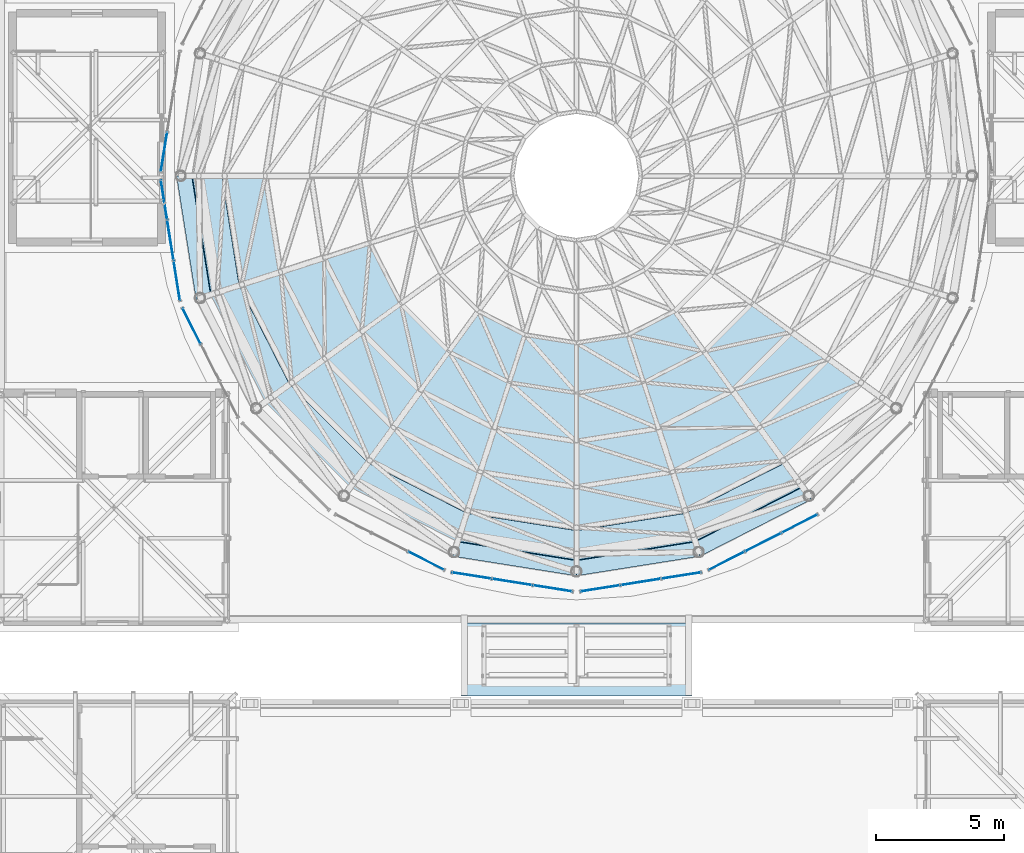
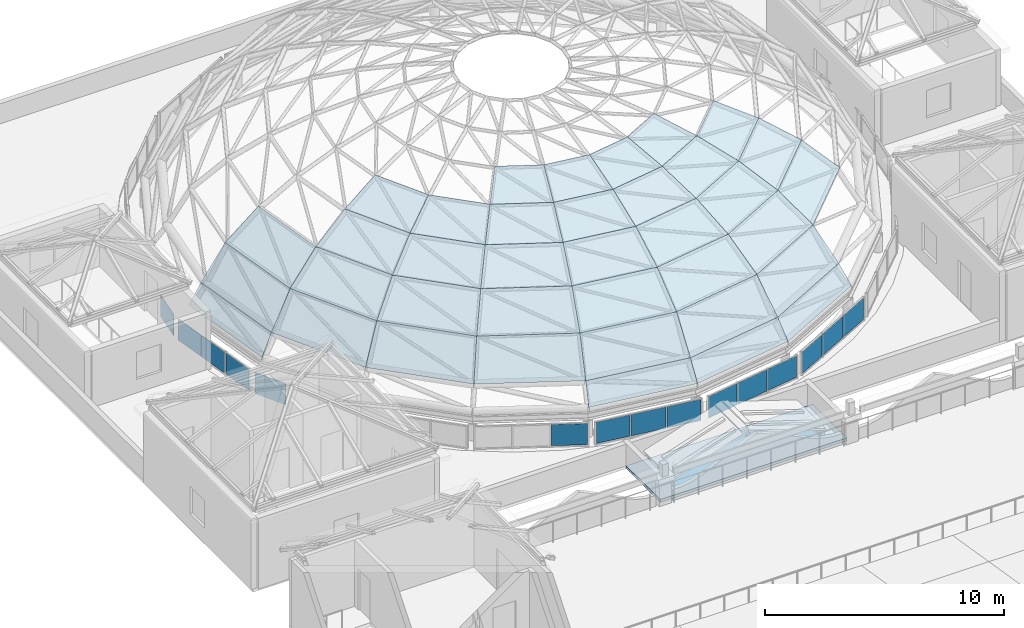
# One storey, part 42 of 69: 52 plates, 1 slab, 7 elements without a shape of their own.
"""IFC4 building model written with IfcOpenShell, lengths in metres."""

from ifc_helpers import new_model, si_unit, direction, frame, origin, origin_2d, place, context, subcontext, project, spatial, polyline, rectangle, outline, extrude, material, layer, layer_set, type_object, element, aggregate, save


model = new_model("IFC4")

# Units and contexts
model_context = context("Model", 3, precision=1e-05, world=origin(), true_north=direction((0.0, 1.0)))
body_context = subcontext(model_context, "Body", "Model", "MODEL_VIEW")
ifc_project = project(units=[si_unit("LENGTHUNIT", "METRE"), si_unit("AREAUNIT", "SQUARE_METRE"), si_unit("VOLUMEUNIT", "CUBIC_METRE"), si_unit("PLANEANGLEUNIT", "RADIAN"), si_unit("MASSUNIT", "GRAM", prefix="KILO")], contexts=[model_context])

# Site, building, storey
site_placement = place(None, origin())
site = spatial("IfcSite", under=ifc_project, at=site_placement, CompositionType="ELEMENT")
building_placement = place(site_placement, origin())
building = spatial("IfcBuilding", under=site, at=building_placement, Name="Kallimachos Central Library", CompositionType="ELEMENT")
storey_placement = place(building_placement, frame((0.0, 0.0, 23.39990234375)))
storey = spatial("IfcBuildingStorey", under=building, at=storey_placement, Name="L05", CompositionType="ELEMENT", Elevation=23.39990234375)

# Plates
ifc_material_1 = material(Name="Laminated glass", Category="glass")
ifc_layer_1 = layer(ifc_material_1, 0.030029296875)
ifc_layer_set_1 = layer_set([ifc_layer_1], Name="Dome glass panel 30")
plate_type_1 = type_object("IfcPlateType", Name="Dome glass panel 30", PredefinedType="SHEET", material=ifc_layer_set_1)
plate_1_placement = place(storey_placement, frame((84.159423828125, 99.114013671875, 7.7060546875), z_axis=(-0.129959379925, -0.255086727075, 0.958144728754), x_axis=(-0.563706877465, -0.775964307167, -0.283044078372)))
element("IfcPlate", 1, at=plate_1_placement, inside=storey, type_object=plate_type_1, Name="Dome glass panel", PredefinedType="SHEET", context=body_context, shape_type="SweptSolid", body=[
    extrude(outline(polyline([(0.0, 0.0), (2.041628892354339, 2.0816681711721685e-17), (1.6430844083452523, 2.626653167731959), (-0.30673258819064386, 2.0211487958049257), (0.0, 0.0)])), origin(), (0.0, 0.0, -1.0), 0.030029296875),
])
plate_2_placement = place(storey_placement, frame((85.98095703125, 98.18603515625, 7.7060546875), z_axis=(-0.044794048364, -0.282754067654, 0.958145933799), x_axis=(-0.296436073335, -0.912148463387, -0.283038575405)))
element("IfcPlate", 2, at=plate_2_placement, inside=storey, type_object=plate_type_1, Name="Dome glass panel", PredefinedType="SHEET", context=body_context, shape_type="SweptSolid", body=[
    extrude(outline(polyline([(0.0, 0.0), (2.0416713409408356, 5.204170427930421e-17), (1.6429890852942148, 2.626918100695097), (-0.3067899998638873, 2.0210645552408626), (0.0, 0.0)])), origin(), (0.0, 0.0, -1.0), 0.030029296875),
])
plate_3_placement = place(storey_placement, frame((88.0, 97.8662109375, 7.7060546875), z_axis=(0.044794048364, -0.282754067654, 0.958145933799), x_axis=(-2.08633e-07, -0.959108648607, -0.283038160267)))
element("IfcPlate", 3, at=plate_3_placement, inside=storey, type_object=plate_type_1, Name="Dome glass panel", PredefinedType="SHEET", context=body_context, shape_type="SweptSolid", body=[
    extrude(outline(polyline([(0.0, 0.0), (2.0417387196846306, 0.0), (1.6429681456680139, 2.626904695268839), (-0.30674659547576, 2.0210711433869566), (0.0, 0.0)])), origin(), (0.0, 0.0, -1.0), 0.030029296875),
])
plate_4_placement = place(storey_placement, frame((90.01904296875, 98.18603515625, 7.7060546875), z_axis=(0.129959379925, -0.255086727075, 0.958144728754), x_axis=(0.296435207586, -0.912145856602, -0.283047882854)))
element("IfcPlate", 4, at=plate_4_placement, inside=storey, type_object=plate_type_1, Name="Dome glass panel", PredefinedType="SHEET", context=body_context, shape_type="SweptSolid", body=[
    extrude(outline(polyline([(0.0, 0.0), (2.041671340936884, 3.122502256758253e-17), (1.6432912728560392, 2.6266781094466656), (-0.30648518484970133, 2.021186326618473), (0.0, 0.0)])), origin(), (0.0, 0.0, -1.0), 0.030029296875),
])
plate_5_placement = place(storey_placement, frame((79.923583984375, 101.77587890625, 7.128173828125), z_axis=(-0.326814272817, -0.166520879886, 0.93030276128), x_axis=(-0.886200817648, -0.288039401314, -0.362879338199)))
element("IfcPlate", 5, at=plate_5_placement, inside=storey, type_object=plate_type_1, Name="Dome glass panel", PredefinedType="SHEET", context=body_context, shape_type="SweptSolid", body=[
    extrude(outline(polyline([(0.0, 0.0), (2.0452507650659113, 1.1102230246251565e-16), (1.5713677148813447, 3.2182810085306977), (-0.3871094153953598, 2.6286946829560933), (0.0, 0.0)])), origin(), (0.0, 0.0, -1.0), 0.030029296875),
])
plate_6_placement = place(storey_placement, frame((81.1298828125, 99.408447265625, 7.128173828125), z_axis=(-0.259364880676, -0.259364880676, 0.930300874634), x_axis=(-0.75392047551, -0.547654708936, -0.362874959713)))
element("IfcPlate", 6, at=plate_6_placement, inside=storey, type_object=plate_type_1, Name="Dome glass panel", PredefinedType="SHEET", context=body_context, shape_type="SweptSolid", body=[
    extrude(outline(polyline([(0.0, 0.0), (2.045298194689517, 1.0408340855860843e-16), (1.5708265021455734, 3.218318209428002), (-0.38750368012371506, 2.6284184484768067), (0.0, 0.0)])), origin(), (0.0, 0.0, -1.0), 0.030029296875),
])
plate_7_placement = place(storey_placement, frame((83.008544921875, 97.52978515625, 7.128173828125), z_axis=(-0.166520879886, -0.326814272817, 0.93030276128), x_axis=(-0.547790019045, -0.753824493575, -0.362870125419)))
element("IfcPlate", 7, at=plate_7_placement, inside=storey, type_object=plate_type_1, Name="Dome glass panel", PredefinedType="SHEET", context=body_context, shape_type="SweptSolid", body=[
    extrude(outline(polyline([(0.0, 0.0), (2.045247865135542, 4.163336342344337e-17), (1.5708160511730593, 3.2185320748863604), (-0.38756812167920374, 2.6282951735943545), (0.0, 0.0)])), origin(), (0.0, 0.0, -1.0), 0.030029296875),
])
plate_8_placement = place(storey_placement, frame((85.375732421875, 96.32373046875, 7.128173828125), z_axis=(-0.057379461971, -0.36227698329, 0.930302630719), x_axis=(-0.287897476375, -0.886247441234, -0.362878100748)))
element("IfcPlate", 8, at=plate_8_placement, inside=storey, type_object=plate_type_1, Name="Dome glass panel", PredefinedType="SHEET", context=body_context, shape_type="SweptSolid", body=[
    extrude(outline(polyline([(0.0, 0.0), (2.0453968238416653, -1.5959455978986625e-16), (1.571256438334218, 3.2184300870081666), (-0.38704359890927253, 2.628658117614707), (0.0, 0.0)])), origin(), (0.0, 0.0, -1.0), 0.030029296875),
])
plate_9_placement = place(storey_placement, frame((88.0, 95.907958984375, 7.128173828125), z_axis=(0.057379461971, -0.36227698329, 0.930302630719), x_axis=(1.273105e-06, -0.931837861648, -0.362874909021)))
element("IfcPlate", 9, at=plate_9_placement, inside=storey, type_object=plate_type_1, Name="Dome glass panel", PredefinedType="SHEET", context=body_context, shape_type="SweptSolid", body=[
    extrude(outline(polyline([(0.0, 0.0), (2.0451821463503186, -6.938893903907228e-18), (1.571077324976621, 3.2184353261295713), (-0.38742826996746316, 2.628601449894669), (0.0, 0.0)])), origin(), (0.0, 0.0, -1.0), 0.030029296875),
])
plate_10_placement = place(storey_placement, frame((90.624267578125, 96.32373046875, 7.128173828125), z_axis=(0.166520879886, -0.326814272817, 0.93030276128), x_axis=(0.28789628579, -0.886250643372, -0.362871224749)))
element("IfcPlate", 10, at=plate_10_placement, inside=storey, type_object=plate_type_1, Name="Dome glass panel", PredefinedType="SHEET", context=body_context, shape_type="SweptSolid", body=[
    extrude(outline(polyline([(0.0, 0.0), (2.0453968241211857, 1.1102230246251565e-16), (1.5708792969684038, 3.2185194390584067), (-0.38736225372054733, 2.6283255226234563), (0.0, 0.0)])), origin(), (0.0, 0.0, -1.0), 0.030029296875),
])
plate_11_placement = place(storey_placement, frame((92.991455078125, 97.52978515625, 7.128173828125), z_axis=(0.259364880676, -0.259364880676, 0.930300874634), x_axis=(0.547787555289, -0.753819658237, -0.362883889318)))
element("IfcPlate", 11, at=plate_11_placement, inside=storey, type_object=plate_type_1, Name="Dome glass panel", PredefinedType="SHEET", context=body_context, shape_type="SweptSolid", body=[
    extrude(outline(polyline([(0.0, 0.0), (2.0452478653593897, -5.551115123125783e-17), (1.5713136676112203, 3.2183974055989686), (-0.38706470512334556, 2.6284831284317622), (0.0, 0.0)])), origin(), (0.0, 0.0, -1.0), 0.030029296875),
])
plate_12_placement = place(storey_placement, frame((78.111083984375, 101.186767578125, 6.385986328125), z_axis=(-0.434605743219, -0.221439165851, 0.872973392372), x_axis=(-0.832692421683, -0.270503096485, -0.483168092555)))
element("IfcPlate", 12, at=plate_12_placement, inside=storey, type_object=plate_type_1, Name="Dome glass panel", PredefinedType="SHEET", context=body_context, shape_type="SweptSolid", body=[
    extrude(outline(polyline([(0.0, 0.0), (2.0514806808109665, -6.938893903907228e-17), (1.528798691784397, 3.7789884452437246), (-0.4456893792201342, 3.222306436770033), (0.0, 0.0)])), origin(), (0.0, 0.0, -1.0), 0.030029296875),
])
plate_13_placement = place(storey_placement, frame((79.587890625, 98.288330078125, 6.385986328125), z_axis=(-0.344906838726, -0.344906838726, 0.872971102156), x_axis=(-0.708336158693, -0.514590986254, -0.483172850183)))
element("IfcPlate", 13, at=plate_13_placement, inside=storey, type_object=plate_type_1, Name="Dome glass panel", PredefinedType="SHEET", context=body_context, shape_type="SweptSolid", body=[
    extrude(outline(polyline([(0.0, 0.0), (2.051462405480206, -1.5265566588595902e-16), (1.5287856097182972, 3.77922759893425), (-0.44567065788857074, 3.222432799742851), (0.0, 0.0)])), origin(), (0.0, 0.0, -1.0), 0.030029296875),
])
plate_14_placement = place(storey_placement, frame((81.88818359375, 95.988037109375, 6.385986328125), z_axis=(-0.221452286179, -0.434599058696, 0.872973391992), x_axis=(-0.514590424605, -0.708335056457, -0.483175064236)))
element("IfcPlate", 14, at=plate_14_placement, inside=storey, type_object=plate_type_1, Name="Dome glass panel", PredefinedType="SHEET", context=body_context, shape_type="SweptSolid", body=[
    extrude(outline(polyline([(0.0, 0.0), (2.051462405473608, -1.3877787807814457e-17), (1.5291186929159069, 3.7793667085520597), (-0.4453869677170996, 3.2226797409994643), (0.0, 0.0)])), origin(), (0.0, 0.0, -1.0), 0.030029296875),
])
plate_15_placement = place(storey_placement, frame((84.786865234375, 94.510986328125, 6.385986328125), z_axis=(-0.076286272688, -0.481759268446, 0.872976753336), x_axis=(-0.270503138725, -0.832693188956, -0.483166746586)))
element("IfcPlate", 15, at=plate_15_placement, inside=storey, type_object=plate_type_1, Name="Dome glass panel", PredefinedType="SHEET", context=body_context, shape_type="SweptSolid", body=[
    extrude(outline(polyline([(0.0, 0.0), (2.0514806808068853, 4.163336342344337e-17), (1.5290580027619929, 3.7790773525863965), (-0.44549785228864897, 3.2225196656926665), (0.0, 0.0)])), origin(), (0.0, 0.0, -1.0), 0.030029296875),
])
plate_16_placement = place(storey_placement, frame((88.0, 94.002197265625, 6.385986328125), z_axis=(0.076286272688, -0.481759268446, 0.872976753336), x_axis=(-1.57235e-07, -0.875528086082, -0.483167228277)))
element("IfcPlate", 16, at=plate_16_placement, inside=storey, type_object=plate_type_1, Name="Dome glass panel", PredefinedType="SHEET", context=body_context, shape_type="SweptSolid", body=[
    extrude(outline(polyline([(0.0, 0.0), (2.0514939150665965, 1.3877787807814457e-17), (1.5290834977934846, 3.7790790475050318), (-0.4454596193275888, 3.222524950984599), (0.0, 0.0)])), origin(), (0.0, 0.0, -1.0), 0.030029296875),
])
plate_17_placement = place(storey_placement, frame((91.213134765625, 94.510986328125, 6.385986328125), z_axis=(0.221452286179, -0.434599058696, 0.872973391992), x_axis=(0.270503543135, -0.832693298216, -0.483166331875)))
element("IfcPlate", 17, at=plate_17_placement, inside=storey, type_object=plate_type_1, Name="Dome glass panel", PredefinedType="SHEET", context=body_context, shape_type="SweptSolid", body=[
    extrude(outline(polyline([(0.0, 0.0), (2.051480680804645, -9.71445146547012e-17), (1.528661438562912, 3.7793009554283943), (-0.4458266324603455, 3.2226189470444186), (0.0, 0.0)])), origin(), (0.0, 0.0, -1.0), 0.030029296875),
])
plate_18_placement = place(storey_placement, frame((94.11181640625, 95.988037109375, 6.385986328125), z_axis=(0.344906838726, -0.344906838726, 0.872971102156), x_axis=(0.514590986254, -0.708336158693, -0.483172850183)))
element("IfcPlate", 18, at=plate_18_placement, inside=storey, type_object=plate_type_1, Name="Dome glass panel", PredefinedType="SHEET", context=body_context, shape_type="SweptSolid", body=[
    extrude(outline(polyline([(0.0, 0.0), (2.051462405480206, -1.5265566588595902e-16), (1.5287856097182972, 3.77922759893425), (-0.44567065788857074, 3.222432799742851), (0.0, 0.0)])), origin(), (0.0, 0.0, -1.0), 0.030029296875),
])
plate_19_placement = place(storey_placement, frame((75.805908203125, 104.39990234375, 5.394775390625), z_axis=(-0.62398961447, -0.098834068882, 0.775157266535), x_axis=(-0.778970984287, -2.913139e-06, -0.627059969725)))
element("IfcPlate", 19, at=plate_19_placement, inside=storey, type_object=plate_type_1, Name="Dome glass panel", PredefinedType="SHEET", context=body_context, shape_type="SweptSolid", body=[
    extrude(outline(polyline([(0.0, 0.0), (2.0673293582989025, 0.0), (1.5411179776455213, 4.2866080536859865), (-0.46497536503741865, 3.786613315970946), (0.0, 0.0)])), origin(), (0.0, 0.0, -1.0), 0.030029296875),
])
plate_20_placement = place(storey_placement, frame((76.40283203125, 100.6318359375, 5.394775390625), z_axis=(-0.562907142311, -0.286819828693, 0.775158006476), x_axis=(-0.740869446786, -0.240656993927, -0.627053964259)))
element("IfcPlate", 20, at=plate_20_placement, inside=storey, type_object=plate_type_1, Name="Dome glass panel", PredefinedType="SHEET", context=body_context, shape_type="SweptSolid", body=[
    extrude(outline(polyline([(0.0, 0.0), (2.0674634797300535, 2.7755575615628914e-17), (1.5408064481610053, 4.28695738476905), (-0.46510266822462243, 3.7865062574825825), (0.0, 0.0)])), origin(), (0.0, 0.0, -1.0), 0.030029296875),
])
plate_21_placement = place(storey_placement, frame((78.134765625, 97.232666015625, 5.394775390625), z_axis=(-0.446723515865, -0.446723515865, 0.775162048056), x_axis=(-0.630133225216, -0.457956643064, -0.627062860926)))
element("IfcPlate", 21, at=plate_21_placement, inside=storey, type_object=plate_type_1, Name="Dome glass panel", PredefinedType="SHEET", context=body_context, shape_type="SweptSolid", body=[
    extrude(outline(polyline([(0.0, 0.0), (2.0673951521168705, 5.551115123125783e-17), (1.5415756047182296, 4.286816655979638), (-0.46449004706651076, 3.7868194139079865), (0.0, 0.0)])), origin(), (0.0, 0.0, -1.0), 0.030029296875),
])
plate_22_placement = place(storey_placement, frame((80.83251953125, 94.534912109375, 5.394775390625), z_axis=(-0.286819828693, -0.562907142311, 0.775158006476), x_axis=(-0.457824262255, -0.630228729733, -0.627063547904)))
element("IfcPlate", 22, at=plate_22_placement, inside=storey, type_object=plate_type_1, Name="Dome glass panel", PredefinedType="SHEET", context=body_context, shape_type="SweptSolid", body=[
    extrude(outline(polyline([(0.0, 0.0), (2.0674372155071357, -1.942890293094024e-16), (1.5413485697123517, 4.286696340816133), (-0.4646660620559284, 3.78689069307193), (0.0, 0.0)])), origin(), (0.0, 0.0, -1.0), 0.030029296875),
])
plate_23_placement = place(storey_placement, frame((84.23193359375, 92.802734375, 5.394775390625), z_axis=(-0.098830426001, -0.62398557721, 0.775160980914), x_axis=(-0.24079750655, -0.740827871704, -0.627049141093)))
element("IfcPlate", 23, at=plate_23_placement, inside=storey, type_object=plate_type_1, Name="Dome glass panel", PredefinedType="SHEET", context=body_context, shape_type="SweptSolid", body=[
    extrude(outline(polyline([(0.0, 0.0), (2.0673413804345646, 1.3877787807814457e-17), (1.5407683132777734, 4.286845066166854), (-0.46530405216077736, 3.7865344609568017), (0.0, 0.0)])), origin(), (0.0, 0.0, -1.0), 0.030029296875),
])
plate_24_placement = place(storey_placement, frame((88.0, 92.2060546875, 5.394775390625), z_axis=(0.098830426001, -0.62398557721, 0.775160980914), x_axis=(-3.828366e-06, -0.778974853563, -0.627055163045)))
element("IfcPlate", 24, at=plate_24_placement, inside=storey, type_object=plate_type_1, Name="Dome glass panel", PredefinedType="SHEET", context=body_context, shape_type="SweptSolid", body=[
    extrude(outline(polyline([(0.0, 0.0), (2.0675195372866177, -1.3877787807814457e-17), (1.5410866057184736, 4.286862277346286), (-0.464812897731993, 3.7865947835849356), (0.0, 0.0)])), origin(), (0.0, 0.0, -1.0), 0.030029296875),
])
plate_25_placement = place(storey_placement, frame((91.76806640625, 92.802734375, 5.394775390625), z_axis=(0.286819828693, -0.562907142311, 0.775158006476), x_axis=(0.240798652784, -0.740813462012, -0.62706572488)))
element("IfcPlate", 25, at=plate_25_placement, inside=storey, type_object=plate_type_1, Name="Dome glass panel", PredefinedType="SHEET", context=body_context, shape_type="SweptSolid", body=[
    extrude(outline(polyline([(0.0, 0.0), (2.067341381674887, -1.6653345369377348e-16), (1.5414613650169595, 4.286721939860396), (-0.464646257716148, 3.786893123088074), (0.0, 0.0)])), origin(), (0.0, 0.0, -1.0), 0.030029296875),
])
plate_26_placement = place(storey_placement, frame((95.16748046875, 94.534912109375, 5.394775390625), z_axis=(0.446723515865, -0.446723515865, 0.775162048056), x_axis=(0.45782923703, -0.630238493172, -0.627050102819)))
element("IfcPlate", 26, at=plate_26_placement, inside=storey, type_object=plate_type_1, Name="Dome glass panel", PredefinedType="SHEET", context=body_context, shape_type="SweptSolid", body=[
    extrude(outline(polyline([(0.0, 0.0), (2.0674372158181233, 1.5265566588595902e-16), (1.5409070925067554, 4.286729437188295), (-0.46511774423140273, 3.7867423679695147), (0.0, 0.0)])), origin(), (0.0, 0.0, -1.0), 0.030029296875),
])
plate_27_placement = place(storey_placement, frame((74.195556640625, 104.39990234375, 4.098388671875), z_axis=(-0.806037457696, -0.127675519008, 0.577929562003), x_axis=(-0.582699085614, 6.838877e-06, -0.812687993992)))
element("IfcPlate", 27, at=plate_27_placement, inside=storey, type_object=plate_type_1, Name="Dome glass panel", PredefinedType="SHEET", context=body_context, shape_type="SweptSolid", body=[
    extrude(outline(polyline([(0.0, 0.0), (2.0101283155695135, -1.3877787807814457e-17), (1.5828883289931397, 4.66588198801246), (-0.3936640280168416, 4.300806395110122), (0.0, 0.0)])), origin(), (0.0, 0.0, -1.0), 0.030029296875),
])
plate_28_placement = place(storey_placement, frame((74.87109375, 100.13427734375, 4.098388671875), z_axis=(-0.727132424809, -0.370480641481, 0.577946823747), x_axis=(-0.554157324258, -0.180150833884, -0.81268403271)))
element("IfcPlate", 28, at=plate_28_placement, inside=storey, type_object=plate_type_1, Name="Dome glass panel", PredefinedType="SHEET", context=body_context, shape_type="SweptSolid", body=[
    extrude(outline(polyline([(0.0, 0.0), (2.0099849274362587, -1.3877787807814457e-17), (1.5834128206214564, 4.665936133382014), (-0.3933774496878313, 4.301235336411186), (0.0, 0.0)])), origin(), (0.0, 0.0, -1.0), 0.030029296875),
])
plate_29_placement = place(storey_placement, frame((76.83203125, 96.285888671875, 4.098388671875), z_axis=(-0.577037199739, -0.577059326246, 0.577953807938), x_axis=(-0.471464573204, -0.342480549503, -0.812667354719)))
element("IfcPlate", 29, at=plate_29_placement, inside=storey, type_object=plate_type_1, Name="Dome glass panel", PredefinedType="SHEET", context=body_context, shape_type="SweptSolid", body=[
    extrude(outline(polyline([(0.0, 0.0), (2.0101508528320435, -1.3877787807814457e-16), (1.5827131901851257, 4.665908000919895), (-0.39391141418001485, 4.300943737323647), (0.0, 0.0)])), origin(), (0.0, 0.0, -1.0), 0.030029296875),
])
plate_30_placement = place(storey_placement, frame((79.885986328125, 93.23193359375, 4.098388671875), z_axis=(-0.370495519781, -0.727139498987, 0.577928385559), x_axis=(-0.342523747773, -0.471397727073, -0.812687926034)))
element("IfcPlate", 30, at=plate_30_placement, inside=storey, type_object=plate_type_1, Name="Dome glass panel", PredefinedType="SHEET", context=body_context, shape_type="SweptSolid", body=[
    extrude(outline(polyline([(0.0, 0.0), (2.01003575697894, -5.551115123125783e-17), (1.5828219652487958, 4.665988722799677), (-0.39381449371839417, 4.300865602051241), (0.0, 0.0)])), origin(), (0.0, 0.0, -1.0), 0.030029296875),
])
plate_31_placement = place(storey_placement, frame((83.734130859375, 91.271240234375, 4.098388671875), z_axis=(-0.127672803881, -0.806042443638, 0.577923207877), x_axis=(-0.179996702734, -0.554185398664, -0.812699040797)))
element("IfcPlate", 31, at=plate_31_placement, inside=storey, type_object=plate_type_1, Name="Dome glass panel", PredefinedType="SHEET", context=body_context, shape_type="SweptSolid", body=[
    extrude(outline(polyline([(0.0, 0.0), (2.0100762620920296, -6.938893903907228e-17), (1.5832762294902123, 4.665883897478316), (-0.3933342781670816, 4.301117059915157), (0.0, 0.0)])), origin(), (0.0, 0.0, -1.0), 0.030029296875),
])
plate_32_placement = place(storey_placement, frame((88.0, 90.595458984375, 4.098388671875), z_axis=(0.127672803881, -0.806042443638, 0.577923207877), x_axis=(4.630295e-06, -0.582691273867, -0.81269359499)))
element("IfcPlate", 32, at=plate_32_placement, inside=storey, type_object=plate_type_1, Name="Dome glass panel", PredefinedType="SHEET", context=body_context, shape_type="SweptSolid", body=[
    extrude(outline(polyline([(0.0, 0.0), (2.009986055863834, -1.3877787807814457e-17), (1.5829471308390968, 4.665862039225984), (-0.3937520851841017, 4.301078831280309), (0.0, 0.0)])), origin(), (0.0, 0.0, -1.0), 0.030029296875),
])
plate_33_placement = place(storey_placement, frame((92.265869140625, 91.271240234375, 4.098388671875), z_axis=(0.370495519781, -0.727139498987, 0.577928385559), x_axis=(0.179997144746, -0.55420641031, -0.812684614506)))
element("IfcPlate", 33, at=plate_33_placement, inside=storey, type_object=plate_type_1, Name="Dome glass panel", PredefinedType="SHEET", context=body_context, shape_type="SweptSolid", body=[
    extrude(outline(polyline([(0.0, 0.0), (2.010076263285408, 5.551115123125783e-17), (1.5826228263029494, 4.665966774887074), (-0.3939738002242261, 4.300851011963461), (0.0, 0.0)])), origin(), (0.0, 0.0, -1.0), 0.030029296875),
])
plate_34_placement = place(storey_placement, frame((73.024169921875, 104.39990234375, 2.46484375), z_axis=(-0.84485581386, -0.133826210018, 0.517985713412), x_axis=(-0.522685958, -1.2373479e-05, -0.852525301183)))
element("IfcPlate", 34, at=plate_34_placement, inside=storey, type_object=plate_type_1, Name="Dome glass panel", PredefinedType="SHEET", context=body_context, shape_type="SweptSolid", body=[
    extrude(outline(polyline([(0.0, 0.0), (1.1253844986498298, 0.0), (0.7273043151978468, 4.85321689209321), (-0.3831521954529645, 4.66970910529497), (0.0, 0.0)])), origin(), (0.0, 0.0, -1.0), 0.030029296875),
])
plate_35_placement = place(storey_placement, frame((83.372314453125, 90.1572265625, 2.46484375), z_axis=(-0.133797438558, -0.844812150844, 0.518064354325), x_axis=(-0.161601192605, -0.497168106625, -0.852472244887)))
element("IfcPlate", 35, at=plate_35_placement, inside=storey, type_object=plate_type_1, Name="Dome glass panel", PredefinedType="SHEET", context=body_context, shape_type="SweptSolid", body=[
    extrude(outline(polyline([(0.0, 0.0), (1.1255171170124871, 0.0), (0.7269870873129958, 4.85317997403862), (-0.38345994866702104, 4.6696455203427725), (0.0, 0.0)])), origin(), (0.0, 0.0, -1.0), 0.030029296875),
])
plate_36_placement = place(storey_placement, frame((88.0, 89.42431640625, 2.46484375), z_axis=(0.133797438558, -0.844812150844, 0.518064354325), x_axis=(-1.26859e-07, -0.522764702547, -0.852477017737)))
element("IfcPlate", 36, at=plate_36_placement, inside=storey, type_object=plate_type_1, Name="Dome glass panel", PredefinedType="SHEET", context=body_context, shape_type="SweptSolid", body=[
    extrude(outline(polyline([(0.0, 0.0), (1.1255121125115617, 0.0), (0.7273118266044879, 4.853207040430616), (-0.38314014689077874, 4.669671770663281), (0.0, 0.0)])), origin(), (0.0, 0.0, -1.0), 0.030029296875),
])
plate_37_placement = place(storey_placement, frame((92.627685546875, 90.1572265625, 2.46484375), z_axis=(0.388321336757, -0.76210903501, 0.51806983909), x_axis=(0.16159779446, -0.497160885492, -0.852477100433)))
element("IfcPlate", 37, at=plate_37_placement, inside=storey, type_object=plate_type_1, Name="Dome glass panel", PredefinedType="SHEET", context=body_context, shape_type="SweptSolid", body=[
    extrude(outline(polyline([(0.0, 0.0), (1.1255171169730558, 1.3877787807814457e-17), (0.7275587642420388, 4.853086051314291), (-0.3829200463941549, 4.669832397809802), (0.0, 0.0)])), origin(), (0.0, 0.0, -1.0), 0.030029296875),
])

# Curtain wall, plate
ifc_material_2 = material(Name="Anodised aluminium and laminated glass", Category="aluminium")
ifc_layer_2 = layer(ifc_material_2, 0.159912109375)
ifc_layer_set_2 = layer_set([ifc_layer_2], Name="Glass box curtain wall")
curtain_wall_type = type_object("IfcCurtainWallType", Name="Glass box curtain wall", PredefinedType="NOTDEFINED", material=ifc_layer_set_2)
curtain_wall_1_placement = place(storey_placement, origin())
curtain_wall_1 = element("IfcCurtainWall", 38, at=curtain_wall_1_placement, inside=storey, type_object=curtain_wall_type, Name="Drum clerestory facet 10", PredefinedType="NOTDEFINED")
ifc_material_3 = material(Name="Laminated glass", Category="glass")
ifc_layer_3 = layer(ifc_material_3, 0.028076171875)
ifc_layer_set_3 = layer_set([ifc_layer_3], Name="Laminated glass panel 28")
plate_type_2 = type_object("IfcPlateType", Name="Laminated glass panel 28", PredefinedType="CURTAIN_PANEL", material=ifc_layer_set_3)
plate_38_placement = place(storey_placement, frame((71.947509765625, 105.328125, 0.06005859375), z_axis=(0.0, 0.0, 1.0), x_axis=(-0.156435338924, -0.987688202185, 0.0)))
plate_38 = element("IfcPlate", 39, at=plate_38_placement, type_object=plate_type_2, Name="CW44 panel 3.1", PredefinedType="CURTAIN_PANEL", context=body_context, shape_type="SweptSolid", body=[
    extrude(rectangle(XDim=1.51953125, YDim=0.028076171875, at=origin_2d()), origin(), (0.0, 0.0, 1.0), 1.080078125),
])
aggregate(curtain_wall_1, [plate_38])

# Curtain wall, plates
curtain_wall_2_placement = place(storey_placement, origin())
curtain_wall_2 = element("IfcCurtainWall", 40, at=curtain_wall_2_placement, inside=storey, type_object=curtain_wall_type, Name="Drum clerestory facet 11", PredefinedType="NOTDEFINED")
plate_39_placement = place(storey_placement, frame((71.947509765625, 103.471923828125, 0.06005859375), z_axis=(0.0, 0.0, 1.0), x_axis=(0.156435338924, -0.987688202185, 0.0)))
plate_39 = element("IfcPlate", 41, at=plate_39_placement, type_object=plate_type_2, Name="CW45 panel 1.1", PredefinedType="CURTAIN_PANEL", context=body_context, shape_type="SweptSolid", body=[
    extrude(rectangle(XDim=1.51953125, YDim=0.028076171875, at=origin_2d()), origin(), (0.0, 0.0, 1.0), 1.080078125),
])
plate_40_placement = place(storey_placement, frame((72.197021484375, 101.89697265625, 0.06005859375), z_axis=(0.0, 0.0, 1.0), x_axis=(0.156435338924, -0.987688202185, 0.0)))
plate_40 = element("IfcPlate", 42, at=plate_40_placement, type_object=plate_type_2, Name="CW45 panel 2.1", PredefinedType="CURTAIN_PANEL", context=body_context, shape_type="SweptSolid", body=[
    extrude(rectangle(XDim=1.549560546875, YDim=0.028076171875, at=origin_2d()), origin(), (0.0, 0.0, 1.0), 1.080078125),
])
plate_41_placement = place(storey_placement, frame((72.446533203125, 100.322265625, 0.06005859375), z_axis=(0.0, 0.0, 1.0), x_axis=(0.156435338924, -0.987688202185, 0.0)))
plate_41 = element("IfcPlate", 43, at=plate_41_placement, type_object=plate_type_2, Name="CW45 panel 3.1", PredefinedType="CURTAIN_PANEL", context=body_context, shape_type="SweptSolid", body=[
    extrude(rectangle(XDim=1.51953125, YDim=0.028076171875, at=origin_2d()), origin(), (0.0, 0.0, 1.0), 1.080078125),
])
aggregate(curtain_wall_2, [plate_39, plate_40, plate_41])

# Curtain wall, plate
curtain_wall_3_placement = place(storey_placement, origin())
curtain_wall_3 = element("IfcCurtainWall", 44, at=curtain_wall_3_placement, inside=storey, type_object=curtain_wall_type, Name="Drum clerestory facet 12", PredefinedType="NOTDEFINED")
plate_42_placement = place(storey_placement, frame((73.02001953125, 98.556884765625, 0.06005859375), z_axis=(0.0, 0.0, 1.0), x_axis=(0.453990803653, -0.891006369337, 0.0)))
plate_42 = element("IfcPlate", 45, at=plate_42_placement, type_object=plate_type_2, Name="CW46 panel 1.1", PredefinedType="CURTAIN_PANEL", context=body_context, shape_type="SweptSolid", body=[
    extrude(rectangle(XDim=1.51953125, YDim=0.028076171875, at=origin_2d()), origin(), (0.0, 0.0, 1.0), 1.080078125),
])
aggregate(curtain_wall_3, [plate_42])

curtain_wall_4_placement = place(storey_placement, origin())
curtain_wall_4 = element("IfcCurtainWall", 46, at=curtain_wall_4_placement, inside=storey, type_object=curtain_wall_type, Name="Drum clerestory facet 14", PredefinedType="NOTDEFINED")
plate_43_placement = place(storey_placement, frame((82.15673828125, 89.419921875, 0.06005859375), z_axis=(0.0, 0.0, 1.0), x_axis=(0.891006369337, -0.453990803653, 0.0)))
plate_43 = element("IfcPlate", 47, at=plate_43_placement, type_object=plate_type_2, Name="CW48 panel 3.1", PredefinedType="CURTAIN_PANEL", context=body_context, shape_type="SweptSolid", body=[
    extrude(rectangle(XDim=1.51953125, YDim=0.028076171875, at=origin_2d()), origin(), (0.0, 0.0, 1.0), 1.080078125),
])
aggregate(curtain_wall_4, [plate_43])

# Curtain wall, plates
curtain_wall_5_placement = place(storey_placement, origin())
curtain_wall_5 = element("IfcCurtainWall", 48, at=curtain_wall_5_placement, inside=storey, type_object=curtain_wall_type, Name="Drum clerestory facet 15", PredefinedType="NOTDEFINED")
plate_44_placement = place(storey_placement, frame((83.922119140625, 88.846435546875, 0.06005859375), z_axis=(0.0, 0.0, 1.0), x_axis=(0.987688202185, -0.156435338924, 0.0)))
plate_44 = element("IfcPlate", 49, at=plate_44_placement, type_object=plate_type_2, Name="CW49 panel 1.1", PredefinedType="CURTAIN_PANEL", context=body_context, shape_type="SweptSolid", body=[
    extrude(rectangle(XDim=1.51953125, YDim=0.028076171875, at=origin_2d()), origin(), (0.0, 0.0, 1.0), 1.080078125),
])
plate_45_placement = place(storey_placement, frame((85.4970703125, 88.596923828125, 0.06005859375), z_axis=(0.0, 0.0, 1.0), x_axis=(0.987688202185, -0.156435338924, 0.0)))
plate_45 = element("IfcPlate", 50, at=plate_45_placement, type_object=plate_type_2, Name="CW49 panel 2.1", PredefinedType="CURTAIN_PANEL", context=body_context, shape_type="SweptSolid", body=[
    extrude(rectangle(XDim=1.549560546875, YDim=0.028076171875, at=origin_2d()), origin(), (0.0, 0.0, 1.0), 1.080078125),
])
plate_46_placement = place(storey_placement, frame((87.07177734375, 88.34765625, 0.06005859375), z_axis=(0.0, 0.0, 1.0), x_axis=(0.987688202185, -0.156435338924, 0.0)))
plate_46 = element("IfcPlate", 51, at=plate_46_placement, type_object=plate_type_2, Name="CW49 panel 3.1", PredefinedType="CURTAIN_PANEL", context=body_context, shape_type="SweptSolid", body=[
    extrude(rectangle(XDim=1.51953125, YDim=0.028076171875, at=origin_2d()), origin(), (0.0, 0.0, 1.0), 1.080078125),
])
aggregate(curtain_wall_5, [plate_44, plate_45, plate_46])

curtain_wall_6_placement = place(storey_placement, origin())
curtain_wall_6 = element("IfcCurtainWall", 52, at=curtain_wall_6_placement, inside=storey, type_object=curtain_wall_type, Name="Drum clerestory facet 16", PredefinedType="NOTDEFINED")
plate_47_placement = place(storey_placement, frame((88.92822265625, 88.34765625, 0.06005859375), z_axis=(0.0, 0.0, 1.0), x_axis=(0.987688202185, 0.156435338924, 0.0)))
plate_47 = element("IfcPlate", 53, at=plate_47_placement, type_object=plate_type_2, Name="CW50 panel 1.1", PredefinedType="CURTAIN_PANEL", context=body_context, shape_type="SweptSolid", body=[
    extrude(rectangle(XDim=1.51953125, YDim=0.028076171875, at=origin_2d()), origin(), (0.0, 0.0, 1.0), 1.080078125),
])
plate_48_placement = place(storey_placement, frame((90.5029296875, 88.596923828125, 0.06005859375), z_axis=(0.0, 0.0, 1.0), x_axis=(0.987688202185, 0.156435338924, 0.0)))
plate_48 = element("IfcPlate", 54, at=plate_48_placement, type_object=plate_type_2, Name="CW50 panel 2.1", PredefinedType="CURTAIN_PANEL", context=body_context, shape_type="SweptSolid", body=[
    extrude(rectangle(XDim=1.549560546875, YDim=0.028076171875, at=origin_2d()), origin(), (0.0, 0.0, 1.0), 1.080078125),
])
plate_49_placement = place(storey_placement, frame((92.077880859375, 88.846435546875, 0.06005859375), z_axis=(0.0, 0.0, 1.0), x_axis=(0.987688202185, 0.156435338924, 0.0)))
plate_49 = element("IfcPlate", 55, at=plate_49_placement, type_object=plate_type_2, Name="CW50 panel 3.1", PredefinedType="CURTAIN_PANEL", context=body_context, shape_type="SweptSolid", body=[
    extrude(rectangle(XDim=1.51953125, YDim=0.028076171875, at=origin_2d()), origin(), (0.0, 0.0, 1.0), 1.080078125),
])
aggregate(curtain_wall_6, [plate_47, plate_48, plate_49])

curtain_wall_7_placement = place(storey_placement, origin())
curtain_wall_7 = element("IfcCurtainWall", 56, at=curtain_wall_7_placement, inside=storey, type_object=curtain_wall_type, Name="Drum clerestory facet 17", PredefinedType="NOTDEFINED")
plate_50_placement = place(storey_placement, frame((93.84326171875, 89.419921875, 0.06005859375), z_axis=(0.0, 0.0, 1.0), x_axis=(0.891006369337, 0.453990803653, 0.0)))
plate_50 = element("IfcPlate", 57, at=plate_50_placement, type_object=plate_type_2, Name="CW51 panel 1.1", PredefinedType="CURTAIN_PANEL", context=body_context, shape_type="SweptSolid", body=[
    extrude(rectangle(XDim=1.51953125, YDim=0.028076171875, at=origin_2d()), origin(), (0.0, 0.0, 1.0), 1.080078125),
])
plate_51_placement = place(storey_placement, frame((95.263916015625, 90.143798828125, 0.06005859375), z_axis=(0.0, 0.0, 1.0), x_axis=(0.891006369337, 0.453990803653, 0.0)))
plate_51 = element("IfcPlate", 58, at=plate_51_placement, type_object=plate_type_2, Name="CW51 panel 2.1", PredefinedType="CURTAIN_PANEL", context=body_context, shape_type="SweptSolid", body=[
    extrude(rectangle(XDim=1.54931640625, YDim=0.028076171875, at=origin_2d()), origin(), (0.0, 0.0, 1.0), 1.080078125),
])
plate_52_placement = place(storey_placement, frame((96.6845703125, 90.86767578125, 0.06005859375), z_axis=(0.0, 0.0, 1.0), x_axis=(0.891006369337, 0.453990803653, 0.0)))
plate_52 = element("IfcPlate", 59, at=plate_52_placement, type_object=plate_type_2, Name="CW51 panel 3.1", PredefinedType="CURTAIN_PANEL", context=body_context, shape_type="SweptSolid", body=[
    extrude(rectangle(XDim=1.51953125, YDim=0.028076171875, at=origin_2d()), origin(), (0.0, 0.0, 1.0), 1.080078125),
])
aggregate(curtain_wall_7, [plate_50, plate_51, plate_52])

# Slab
ifc_material_4 = material(Name="Composite slab C30/37 on steel deck", Category="concrete")
ifc_layer_4 = layer(ifc_material_4, 0.14990234375)
ifc_layer_set_4 = layer_set([ifc_layer_4], Name="Link roof slab 150")
slab_type = type_object("IfcSlabType", Name="Link roof slab 150", PredefinedType="ROOF", material=ifc_layer_set_4)
slab_placement = place(storey_placement, frame((0.0, 0.0, -0.14990234375)))
element("IfcSlab", 60, at=slab_placement, inside=storey, type_object=slab_type, Name="Reading Link roof", PredefinedType="ROOF", context=body_context, shape_type="SweptSolid", body=[
    extrude(outline(polyline([(92.5, 84.14990234375), (83.5, 84.14990234375), (83.5, 87.0), (92.5, 87.0), (92.5, 84.14990234375)])), origin(), (0.0, 0.0, 1.0), 0.14990234375),
])

save(model, "model.ifc")
